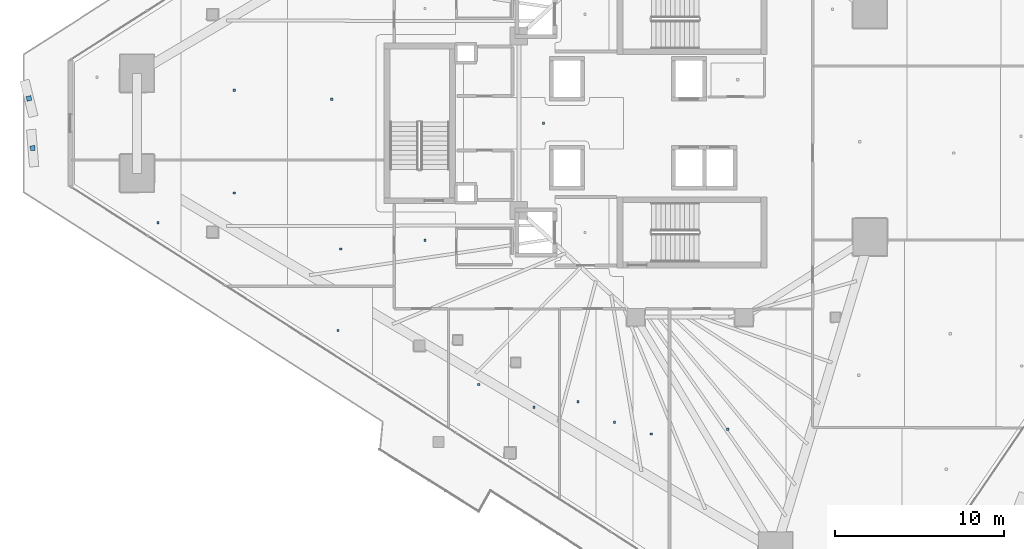
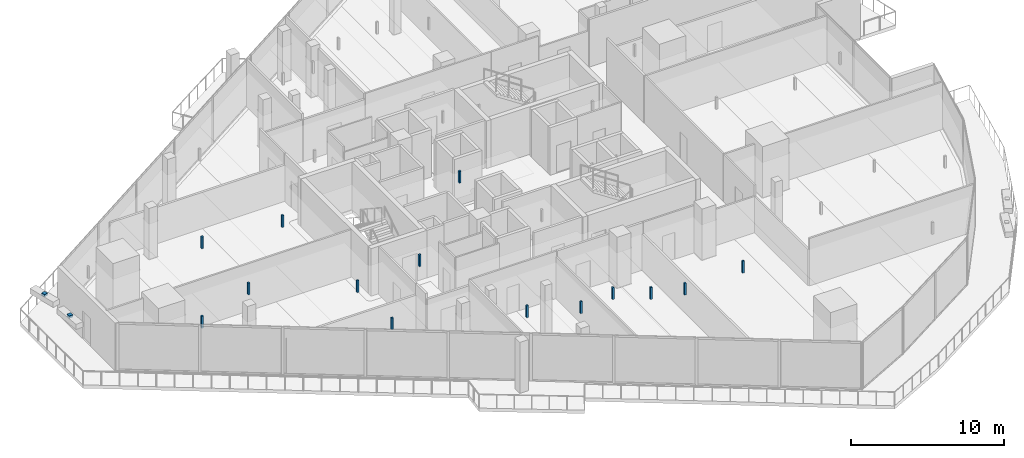
# One storey, part 28 of 39: 16 discrete accessories.
"""IFC4 building model written with IfcOpenShell, lengths in metres."""

from ifc_helpers import new_model, si_unit, direction, frame, origin, origin_2d, place, context, subcontext, project, spatial, rectangle, extrude, material, type_object, element, save


model = new_model("IFC4")

# Units and contexts
model_context = context("Model", 3, precision=1e-05, world=origin(), true_north=direction((0.0, 1.0)))
body_context = subcontext(model_context, "Body", "Model", "MODEL_VIEW")
ifc_project = project(units=[si_unit("LENGTHUNIT", "METRE"), si_unit("AREAUNIT", "SQUARE_METRE"), si_unit("VOLUMEUNIT", "CUBIC_METRE"), si_unit("PLANEANGLEUNIT", "RADIAN"), si_unit("MASSUNIT", "GRAM", prefix="KILO")], contexts=[model_context])

# Site, building, storey
site_placement = place(None, origin())
site = spatial("IfcSite", under=ifc_project, at=site_placement, CompositionType="ELEMENT")
building_placement = place(site_placement, origin())
building = spatial("IfcBuilding", under=site, at=building_placement, Name="Qorvath Tower", CompositionType="ELEMENT")
storey_placement = place(building_placement, frame((0.0, 0.0, 142.199951171875)))
storey = spatial("IfcBuildingStorey", under=building, at=storey_placement, Name="L32", CompositionType="ELEMENT", Elevation=142.199951171875)

# Discrete accessories
ifc_material = material(Name="Galvanised steel bracket", Category="steel")
discrete_accessory_type = type_object("IfcDiscreteAccessoryType", Name="DA-BRACKET", PredefinedType="BRACKET", material=ifc_material)
for number, where, z_axis, x_axis, name in (
    (1, (-59.4287109375, 1.46630859375, 3.64013671875), (0.0, 0.0, 1.0), (0.240007787712, -0.970770962605, 0.0), "Louvre Wave Support Bracket L32-01"),
    (2, (-59.21337890625, -1.46630859375, 3.64013671875), (0.0, 0.0, 1.0), (0.080583393674, -0.996747870158, 0.0), "Louvre Wave Support Bracket L32-02"),
):
    element("IfcDiscreteAccessory", number, at=place(storey_placement, frame(where, z_axis=z_axis, x_axis=x_axis)), inside=storey, type_object=discrete_accessory_type, Name=name, PredefinedType="NOTDEFINED", context=body_context, shape_type="SweptSolid", body=[
        extrude(rectangle(XDim=0.280029296875, YDim=0.280029296875, at=origin_2d()), origin(), (0.0, 0.0, 1.0), 0.199951171875),
    ])
for number, where, z_axis, x_axis, name in (
    (3, (-36.04150390625, -6.906982421875, 2.85986328125), (0.0, 0.0, 1.0), (1.0, 0.0, 0.0), "Acoustic Ceiling Suspension Hanger T1-L32-008"),
    (4, (-29.04052734375, 0.0, 2.85986328125), (0.0, 0.0, 1.0), (1.0, 0.0, 0.0), "Acoustic Ceiling Suspension Hanger T1-L32-010"),
    (5, (-32.872802734375, -15.42138671875, 2.85986328125), (0.0, 0.0, 1.0), (1.0, 0.0, 0.0), "Acoustic Ceiling Suspension Hanger T1-L32-021"),
    (6, (-29.603759765625, -16.776123046875, 2.85986328125), (0.0, 0.0, 1.0), (1.0, 0.0, 0.0), "Acoustic Ceiling Suspension Hanger T1-L32-022"),
    (7, (-27.00927734375, -16.434326171875, 2.85986328125), (0.0, 0.0, 1.0), (1.0, 0.0, 0.0), "Acoustic Ceiling Suspension Hanger T1-L32-023"),
    (8, (-24.85009765625, -17.66015625, 2.85986328125), (0.0, 0.0, 1.0), (1.0, 0.0, 0.0), "Acoustic Ceiling Suspension Hanger T1-L32-024"),
    (9, (-22.69091796875, -18.347412109375, 2.85986328125), (0.0, 0.0, 1.0), (1.0, 0.0, 0.0), "Acoustic Ceiling Suspension Hanger T1-L32-025"),
    (10, (-18.160888671875, -18.0693359375, 2.85986328125), (0.0, 0.0, 1.0), (1.0, 0.0, 0.0), "Acoustic Ceiling Suspension Hanger T1-L32-026"),
    (11, (-41.18359375, -12.233642578125, 2.85986328125), (0.0, 0.0, 1.0), (1.0, 0.0, 0.0), "Acoustic Ceiling Suspension Hanger T1-L32-038"),
    (12, (-51.8134765625, -5.865234375, 2.85986328125), (0.0, 0.0, 1.0), (1.0, 0.0, 0.0), "Acoustic Ceiling Suspension Hanger T1-L32-040"),
    (13, (-47.296630859375, -4.113037109375, 2.85986328125), (0.0, 0.0, 1.0), (1.0, 0.0, 0.0), "Acoustic Ceiling Suspension Hanger T1-L32-041"),
    (14, (-41.007568359375, -7.42529296875, 2.85986328125), (0.0, 0.0, 1.0), (1.0, 0.0, 0.0), "Acoustic Ceiling Suspension Hanger T1-L32-042"),
    (15, (-47.296630859375, 1.9443359375, 2.85986328125), (0.0, 0.0, 1.0), (1.0, 0.0, 0.0), "Acoustic Ceiling Suspension Hanger T1-L32-044"),
    (16, (-41.551025390625, 1.41943359375, 2.85986328125), (0.0, 0.0, 1.0), (1.0, 0.0, 0.0), "Acoustic Ceiling Suspension Hanger T1-L32-045"),
):
    element("IfcDiscreteAccessory", number, at=place(storey_placement, frame(where, z_axis=z_axis, x_axis=x_axis)), inside=storey, type_object=discrete_accessory_type, Name=name, PredefinedType="NOTDEFINED", context=body_context, shape_type="SweptSolid", body=[
        extrude(rectangle(XDim=0.139892578125, YDim=0.139892578125, at=origin_2d()), origin(), (0.0, 0.0, 1.0), 0.949951171875),
    ])

save(model, "model.ifc")
